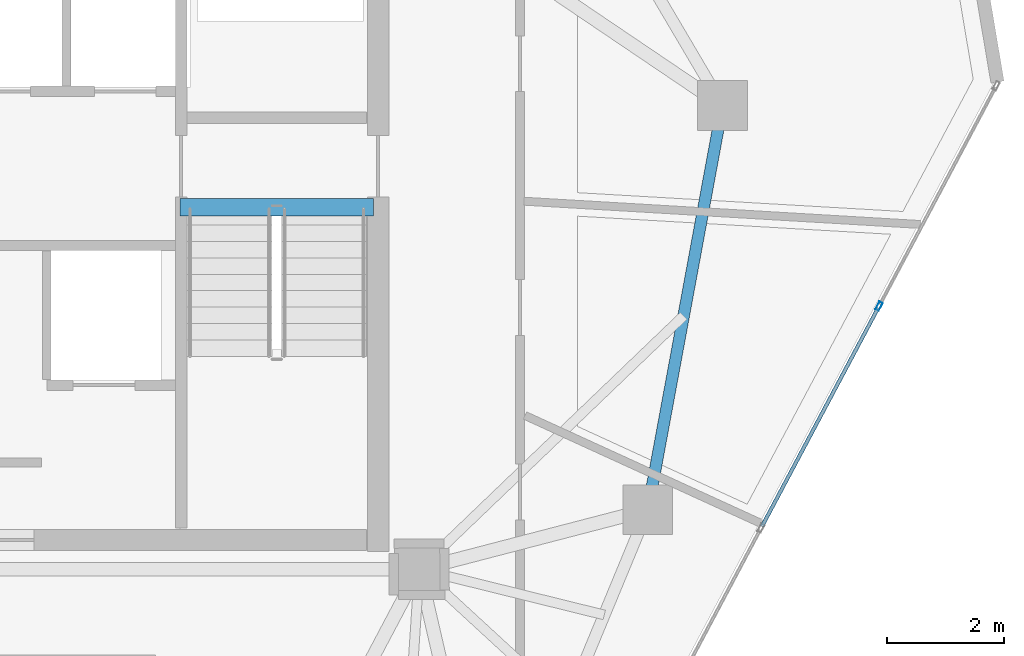
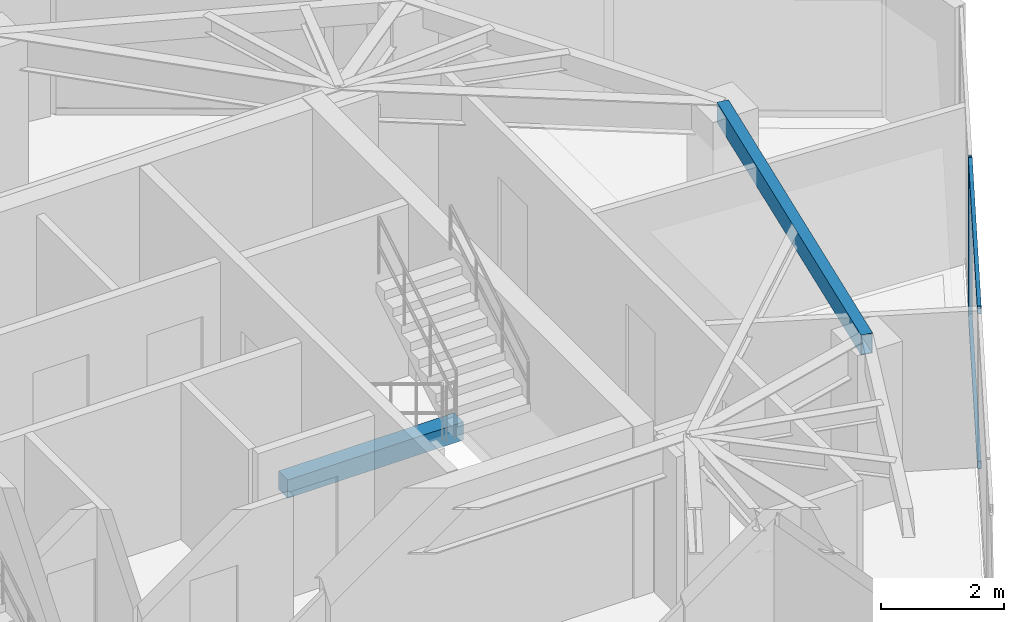
# One storey, part 11 of 19: 3 members, 2 beams, 1 element without a shape of its own.
"""IFC4 building model written with IfcOpenShell, lengths in metres."""

from ifc_helpers import new_model, si_unit, direction, frame, origin, origin_2d, place, context, subcontext, project, spatial, rectangle, hollow_rectangle, extrude, source, transform, mapped, material, layer, layer_set, material_profile, profile_set, type_object, type_shapes, element, aggregate, save


model = new_model("IFC4")

# Units and contexts
model_context = context("Model", 3, precision=1e-05, world=origin(), true_north=direction((0.0, 1.0)))
body_context = subcontext(model_context, "Body", "Model", "MODEL_VIEW")
ifc_project = project(units=[si_unit("LENGTHUNIT", "METRE"), si_unit("AREAUNIT", "SQUARE_METRE"), si_unit("VOLUMEUNIT", "CUBIC_METRE"), si_unit("PLANEANGLEUNIT", "RADIAN"), si_unit("MASSUNIT", "GRAM", prefix="KILO")], contexts=[model_context])

# Site, building, storey
site_placement = place(None, origin())
site = spatial("IfcSite", under=ifc_project, at=site_placement, CompositionType="ELEMENT")
building_placement = place(site_placement, origin())
building = spatial("IfcBuilding", under=site, at=building_placement, Name="Talar Marvaseh", CompositionType="ELEMENT")
storey_placement = place(building_placement, frame((0.0, 0.0, 288.39990234375)))
storey = spatial("IfcBuildingStorey", under=building, at=storey_placement, Name="L77", CompositionType="ELEMENT", Elevation=288.39990234375)

# Beams
ifc_material_1 = material(Name="Concrete C40/50", Category="concrete")
ifc_material_profile_1 = material_profile(ifc_material_1, rectangle(XDim=0.300048828125, YDim=0.360107421875, at=origin_2d()), Name="RC300x360")
ifc_profile_set_1 = profile_set([ifc_material_profile_1], Name="Concrete C40/50")
beam_type_1 = type_object("IfcBeamType", Name="Concrete Stair Landing Trimmer Beam RC300x360", PredefinedType="SPANDREL", material=ifc_profile_set_1)
beam_1_placement = place(storey_placement, frame((29.219970703125, 31.669921875, -0.179931640625), z_axis=(1.0, 0.0, 0.0), x_axis=(0.0, 1.0, 0.0)))
element("IfcBeam", 1, at=beam_1_placement, inside=storey, type_object=beam_type_1, Name="L77 ST-2 Stair Nosing Trimmer Beam", PredefinedType="SPANDREL", context=body_context, shape_type="SweptSolid", body=[
    extrude(rectangle(XDim=0.300048828125, YDim=0.360107421875, at=origin_2d()), origin(), (0.0, 0.0, 1.0), 3.300048828125),
])
ifc_material_2 = material(Name="Steel S355", Category="steel")
ifc_material_profile_2 = material_profile(ifc_material_2, hollow_rectangle(XDim=0.199951171875, YDim=0.39990234375, WallThickness=0.013916015625, at=origin_2d()), Name="RHS400x200x14")
ifc_profile_set_2 = profile_set([ifc_material_profile_2], Name="Steel S355")
beam_type_2 = type_object("IfcBeamType", Name="Zone 3 Perimeter Spandrel Beam RHS400x200x14", PredefinedType="SPANDREL", material=ifc_profile_set_2)
beam_2_placement = place(storey_placement, frame((38.470947265625, 33.406005859375, 2.940185546875), z_axis=(-0.181759950929, -0.983342931148, 0.0), x_axis=(0.983342931148, -0.181759950929, 0.0)))
element("IfcBeam", 2, at=beam_2_placement, inside=storey, type_object=beam_type_2, Name="L77 Zone 3 Perimeter Spandrel Beam RHS400x200x14", PredefinedType="SPANDREL", context=body_context, shape_type="SweptSolid", body=[
    extrude(hollow_rectangle(XDim=0.199951171875, YDim=0.39990234375, WallThickness=0.013916015625, at=origin_2d()), origin(), (0.0, 0.0, 1.0), 7.0087890625),
])

# Curtain wall, members
ifc_material_3 = material(Name="Architectural Aluminium", Category="aluminium")
ifc_layer = layer(ifc_material_3, 0.179931640625)
ifc_layer_set = layer_set([ifc_layer], Name="Architectural Aluminium")
curtain_wall_type = type_object("IfcCurtainWallType", Name="Unitised High-Wind Sky Curtain Wall Z4", PredefinedType="NOTDEFINED", material=ifc_layer_set)
curtain_wall_placement = place(storey_placement, origin())
curtain_wall = element("IfcCurtainWall", 3, at=curtain_wall_placement, inside=storey, type_object=curtain_wall_type, Name="L77 Unitised High-Wind Sky Curtain Wall Z4", PredefinedType="NOTDEFINED")
ifc_material_profile_3 = material_profile(ifc_material_3, hollow_rectangle(XDim=0.06494140625, YDim=0.14990234375, WallThickness=0.00390625, at=origin_2d()), Name="RHS150x65x4")
ifc_profile_set_3 = profile_set([ifc_material_profile_3], Name="Architectural Aluminium")
member_type_1 = type_object("IfcMemberType", Name="Unitised Curtain Wall Slim Transom RHS150x65x4", PredefinedType="USERDEFINED", material=ifc_profile_set_3)
shared_shape_1 = source(origin(), body_context, "Body", "SweptSolid", [
    extrude(hollow_rectangle(XDim=0.06494140625, YDim=0.14990234375, WallThickness=0.00390625, at=origin_2d()), origin(), (0.0, 0.0, 1.0), 4.22119140625),
])
type_shapes(member_type_1, [shared_shape_1])
member_1_placement = place(storey_placement, frame((41.12548828125, 29.957763671875, 0.03271484375), z_axis=(-0.469582278436, -0.882888715399, 0.0), x_axis=(0.882888715399, -0.469582278436, 0.0)))
member_1 = element("IfcMember", 4, at=member_1_placement, type_object=member_type_1, Name="CW-Z4 transom 2.1", ObjectType="TRANSOM", PredefinedType="USERDEFINED", context=body_context, shape_type="MappedRepresentation", body=[
    mapped(shared_shape_1, transform((0.0, 0.0, 0.0), x_axis=(1.0, 0.0, 0.0), y_axis=(0.0, 1.0, 0.0), z_axis=(0.0, 0.0, 1.0), scale=1.0)),
])
member_2_placement = place(storey_placement, frame((41.12548828125, 29.957763671875, 3.107666015625), z_axis=(-0.469582278436, -0.882888715399, 0.0), x_axis=(0.882888715399, -0.469582278436, 0.0)))
member_2 = element("IfcMember", 5, at=member_2_placement, type_object=member_type_1, Name="CW-Z4 transom 2.2", ObjectType="TRANSOM", PredefinedType="USERDEFINED", context=body_context, shape_type="MappedRepresentation", body=[
    mapped(shared_shape_1, transform((0.0, 0.0, 0.0), x_axis=(1.0, 0.0, 0.0), y_axis=(0.0, 1.0, 0.0), z_axis=(0.0, 0.0, 1.0), scale=1.0)),
])
ifc_material_profile_4 = material_profile(ifc_material_3, hollow_rectangle(XDim=0.06494140625, YDim=0.14990234375, WallThickness=0.00390625, at=origin_2d()), Name="RHS150x65x4")
ifc_profile_set_4 = profile_set([ifc_material_profile_4], Name="Architectural Aluminium")
member_type_2 = type_object("IfcMemberType", Name="Unitised Curtain Wall Slim Mullion RHS150x65x4", PredefinedType="MULLION", material=ifc_profile_set_4)
shared_shape_2 = source(origin(), body_context, "Body", "SweptSolid", [
    extrude(hollow_rectangle(XDim=0.06494140625, YDim=0.14990234375, WallThickness=0.00390625, at=origin_2d()), origin(), (0.0, 0.0, 1.0), 3.14013671875),
])
type_shapes(member_type_2, [shared_shape_2])
member_3_placement = place(storey_placement, frame((41.140869140625, 29.986572265625, 0.0), z_axis=(0.0, 0.0, 1.0), x_axis=(0.882877122718, -0.469604073854, 0.0)))
member_3 = element("IfcMember", 6, at=member_3_placement, type_object=member_type_2, Name="CW-Z4 mullion 2", PredefinedType="MULLION", context=body_context, shape_type="MappedRepresentation", body=[
    mapped(shared_shape_2, transform((0.0, 0.0, 0.0), x_axis=(1.0, 0.0, 0.0), y_axis=(0.0, 1.0, 0.0), z_axis=(0.0, 0.0, 1.0), scale=1.0)),
])
aggregate(curtain_wall, [member_3, member_1, member_2])

save(model, "model.ifc")
